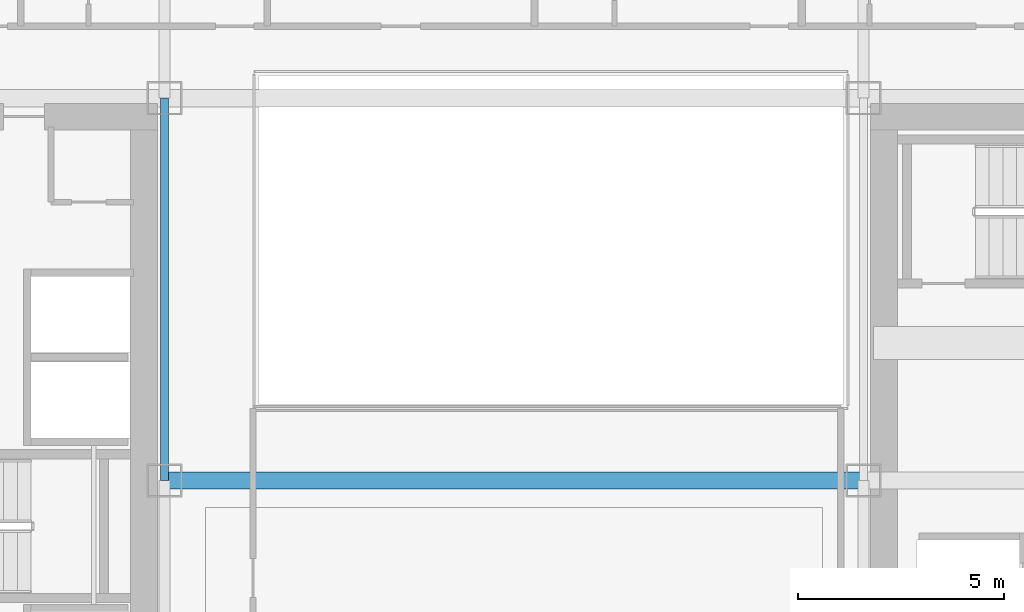
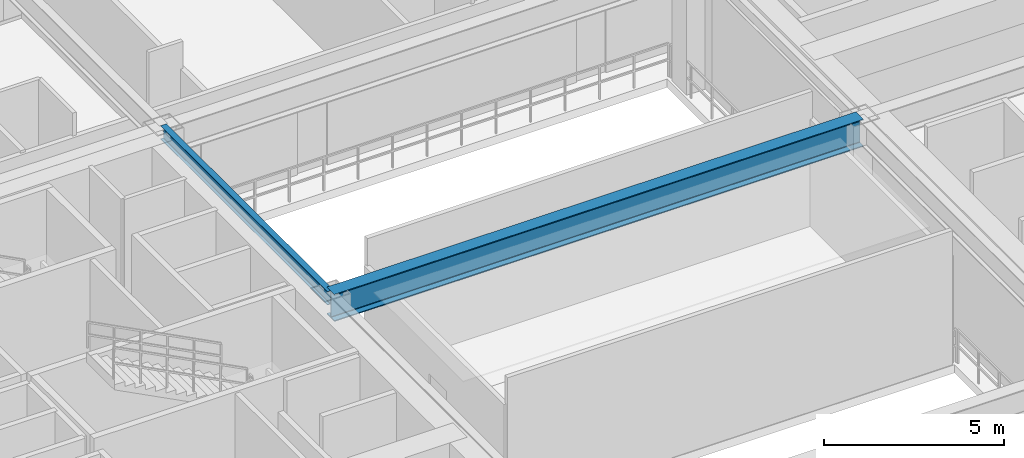
# One storey, part 10 of 38: 2 beams.
"""IFC4 building model written with IfcOpenShell, lengths in metres."""

import ifcopenshell
import ifcopenshell.guid

model = None  # the IFC model being written
_history = None  # IfcOwnerHistory: only IFC2X3 demands one
_inside = {}  # id of a spatial element -> (the spatial element, [elements in it])
_under = {}  # id of a project, library or spatial element -> (it, [spatial elements below it])
_declared = {}  # id of a project -> (the project, [libraries it declares])
_typed = {}  # id of a type object -> (the type object, [elements of that type])
_made_of = {}  # id of a material, layer set ... -> (it, [elements and type objects made of it])


def new_model(schema):
    """Start an empty IFC model of exactly this schema.

    Asked for "IFC4X3", IfcOpenShell would pick the latest addendum, in which some entities
    have other attributes; the version numbers below select the first issue.
    IFC2X3 requires an IfcOwnerHistory on every rooted entity: one is made here for all.
    """
    global model, _history
    if schema == "IFC4X3":
        model = ifcopenshell.file(schema_version=(4, 3, 0, 0))
    else:
        model = ifcopenshell.file(schema=schema)
    _inside.clear()
    _under.clear()
    _declared.clear()
    _typed.clear()
    _made_of.clear()
    _history = None
    if model.schema == "IFC2X3":
        org = make("IfcOrganization", Name="unknown")
        user = make(
            "IfcPersonAndOrganization",
            ThePerson=make("IfcPerson", FamilyName="unknown"),
            TheOrganization=org,
        )
        app = make(
            "IfcApplication",
            ApplicationDeveloper=org,
            Version="unknown",
            ApplicationFullName="unknown",
            ApplicationIdentifier="unknown",
        )
        _history = make(
            "IfcOwnerHistory",
            OwningUser=user,
            OwningApplication=app,
            ChangeAction="ADDED",
            CreationDate=0,
        )
    return model


def make(cls, **values):
    """One entity of the class cls with the attributes given. An attribute that is None is left unset."""
    return model.create_entity(
        cls, **{name: value for name, value in values.items() if value is not None}
    )


def rooted(cls, **values):
    """An entity with a GlobalId (a new one), such as an element, a storey or a relation."""
    return make(cls, GlobalId=ifcopenshell.guid.new(), OwnerHistory=_history, **values)


def si_unit(unit_type, name, prefix=None):
    """IfcSIUnit, for example si_unit("LENGTHUNIT", "METRE", prefix="MILLI")."""
    return make("IfcSIUnit", UnitType=unit_type, Prefix=prefix, Name=name)


def assignment(units):
    """IfcUnitAssignment: the units of a project."""
    return None if units is None else make("IfcUnitAssignment", Units=units)


def point(xyz):
    """IfcCartesianPoint."""
    return None if xyz is None else make("IfcCartesianPoint", Coordinates=xyz)


def direction(xyz):
    """IfcDirection."""
    return None if xyz is None else make("IfcDirection", DirectionRatios=xyz)


def frame(location, z_axis=None, x_axis=None):
    """IfcAxis2Placement3D, a coordinate frame: its origin and axes. An axis left out is left unset."""
    return make(
        "IfcAxis2Placement3D",
        Location=point(location),
        Axis=direction(z_axis),
        RefDirection=direction(x_axis),
    )


def frame_2d(location, x_axis=None):
    """IfcAxis2Placement2D, a coordinate frame in the plane: its origin and x axis."""
    return make(
        "IfcAxis2Placement2D", Location=point(location), RefDirection=direction(x_axis)
    )


def origin():
    """The frame at (0, 0, 0) with its axes left unset."""
    return frame((0.0, 0.0, 0.0))


def origin_2d():
    """The frame at (0, 0) in the plane with its x axis left unset."""
    return frame_2d((0.0, 0.0))


def place(relative_to, where):
    """IfcLocalPlacement: puts the frame where relative to a parent placement (None: the world)."""
    return make(
        "IfcLocalPlacement", PlacementRelTo=relative_to, RelativePlacement=where
    )


def context(
    kind, dimensions, precision=None, world=None, true_north=None, identifier=None
):
    """IfcGeometricRepresentationContext, for example the 3D "Model" context."""
    return make(
        "IfcGeometricRepresentationContext",
        ContextIdentifier=identifier,
        ContextType=kind,
        CoordinateSpaceDimension=dimensions,
        Precision=precision,
        WorldCoordinateSystem=world,
        TrueNorth=true_north,
    )


def subcontext(parent, identifier, kind, view, scale=None):
    """IfcGeometricRepresentationSubContext, for example "Body" below "Model"."""
    return make(
        "IfcGeometricRepresentationSubContext",
        ContextIdentifier=identifier,
        ContextType=kind,
        ParentContext=parent,
        TargetScale=scale,
        TargetView=view,
    )


def project(units=None, contexts=None):
    """IfcProject with its units and contexts."""
    return rooted(
        "IfcProject",
        Name="project",
        RepresentationContexts=contexts,
        UnitsInContext=assignment(units),
    )


def spatial(cls, under=None, at=None, **own):
    """A site, building, storey or space (cls), placed at a placement, below another one or the project."""
    s = rooted(cls, ObjectPlacement=at, **own)
    if under is not None:
        _under.setdefault(under.id(), (under, []))[1].append(s)
    return s


def profile(cls, at=None, kind="AREA", **sizes):
    """A parametric profile (cls). Its sizes go by their IFC names, for example OverallWidth=200.0."""
    return make(cls, ProfileType=kind, Position=at, **sizes)


def i_section(**sizes):
    """IfcIShapeProfileDef."""
    return profile("IfcIShapeProfileDef", **sizes)


def extrude(swept, where, along, depth):
    """IfcExtrudedAreaSolid: the profile swept, set in the frame where, extruded along a direction by depth."""
    return make(
        "IfcExtrudedAreaSolid",
        SweptArea=swept,
        Position=where,
        ExtrudedDirection=direction(along),
        Depth=depth,
    )


def shape(context_of_items, identifier, shape_type, items):
    """IfcShapeRepresentation: the items that make up one representation, for example the "Body"."""
    return make(
        "IfcShapeRepresentation",
        ContextOfItems=context_of_items,
        RepresentationIdentifier=identifier,
        RepresentationType=shape_type,
        Items=items,
    )


def source(mapping_origin, context_of_items, identifier, shape_type, items):
    """IfcRepresentationMap: a shape defined once, which mapped items show again and again."""
    return make(
        "IfcRepresentationMap",
        MappingOrigin=mapping_origin,
        MappedRepresentation=shape(context_of_items, identifier, shape_type, items),
    )


def transform(
    local_origin,
    x_axis=None,
    y_axis=None,
    z_axis=None,
    scale=None,
    scale2=None,
    scale3=None,
    uniform=True,
):
    """IfcCartesianTransformationOperator3D, or its non-uniform kind. x_axis, y_axis, z_axis: its Axis1, 2, 3."""
    if uniform:
        return make(
            "IfcCartesianTransformationOperator3D",
            Axis1=direction(x_axis),
            Axis2=direction(y_axis),
            LocalOrigin=point(local_origin),
            Scale=scale,
            Axis3=direction(z_axis),
        )
    return make(
        "IfcCartesianTransformationOperator3DnonUniform",
        Axis1=direction(x_axis),
        Axis2=direction(y_axis),
        LocalOrigin=point(local_origin),
        Scale=scale,
        Axis3=direction(z_axis),
        Scale2=scale2,
        Scale3=scale3,
    )


def mapped(mapping_source, mapping_target):
    """IfcMappedItem: shows the shape of a source again, moved by a transform."""
    return make(
        "IfcMappedItem", MappingSource=mapping_source, MappingTarget=mapping_target
    )


def material(Name=None, Category=None):
    """IfcMaterial."""
    return make("IfcMaterial", Name=Name, Category=Category)


def material_profile(
    of_material, cross_section, Name=None, Category=None, Priority=None
):
    """IfcMaterialProfile: a cross section and its material."""
    return make(
        "IfcMaterialProfile",
        Name=Name,
        Material=of_material,
        Profile=cross_section,
        Priority=Priority,
        Category=Category,
    )


def profile_set(profiles, Name=None, composite=None):
    """IfcMaterialProfileSet."""
    return make(
        "IfcMaterialProfileSet",
        Name=Name,
        MaterialProfiles=profiles,
        CompositeProfile=composite,
    )


def made_of(thing, what):
    """Note that an element or type object is made of a material, layer set ...; save() writes the relation."""
    if what is not None:
        _made_of.setdefault(what.id(), (what, []))[1].append(thing)
    return thing


def type_object(cls, material=None, **own):
    """A type object (cls), such as IfcWallType, which elements share."""
    return made_of(rooted(cls, **own), material)


def element(
    cls,
    number,
    at=None,
    inside=None,
    cuts=None,
    type_object=None,
    material=None,
    context=None,
    identifier="Body",
    shape_type=None,
    held_by="IfcProductDefinitionShape",
    body=None,
    shapes=None,
    **own,
):
    """One element of the class cls, such as IfcWall. Its Tag is "e" and its number.

    at: its placement. inside: the storey or other place that contains it. cuts: it is an
    opening in that element (IfcRelVoidsElement). A single representation is given by context,
    identifier, shape_type and body (its items); several are given by shapes. held_by: the class
    of the entity that holds the representations. save() writes the other relations.
    """
    e = rooted(cls, Tag="e%d" % number, ObjectPlacement=at, **own)
    if body is not None:
        shapes = [shape(context, identifier, shape_type, body)]
    if shapes is not None:
        e.Representation = make(held_by, Representations=shapes)
    if inside is not None:
        _inside.setdefault(inside.id(), (inside, []))[1].append(e)
    if cuts is not None:
        rooted(
            "IfcRelVoidsElement", RelatingBuildingElement=cuts, RelatedOpeningElement=e
        )
    if type_object is not None:
        _typed.setdefault(type_object.id(), (type_object, []))[1].append(e)
    return made_of(e, material)


def aggregate(whole, parts):
    """IfcRelAggregates: a whole, such as a stair, and the parts it consists of."""
    return rooted("IfcRelAggregates", RelatingObject=whole, RelatedObjects=parts)


def save(model, path):
    """Write the relations noted so far, then the file.

    IfcRelAggregates (storeys below a building ...), IfcRelContainedInSpatialStructure (elements
    in a storey), IfcRelDefinesByType, IfcRelAssociatesMaterial and IfcRelDeclares: one each for
    every whole, place, type object, material and project.
    """
    for whole, parts in _under.values():
        aggregate(whole, parts)
    for where, things in _inside.values():
        rooted(
            "IfcRelContainedInSpatialStructure",
            RelatedElements=things,
            RelatingStructure=where,
        )
    for kind, things in _typed.values():
        rooted("IfcRelDefinesByType", RelatedObjects=things, RelatingType=kind)
    for what, things in _made_of.values():
        rooted("IfcRelAssociatesMaterial", RelatedObjects=things, RelatingMaterial=what)
    for by, libraries in _declared.values():
        rooted("IfcRelDeclares", RelatingContext=by, RelatedDefinitions=libraries)
    model.write(path)


model = new_model("IFC4")

# Units and contexts
model_context = context("Model", 3, precision=1e-05, world=origin(), true_north=direction((0.0, 1.0)))
body_context = subcontext(model_context, "Body", "Model", "MODEL_VIEW")
ifc_project = project(units=[si_unit("LENGTHUNIT", "METRE"), si_unit("AREAUNIT", "SQUARE_METRE"), si_unit("VOLUMEUNIT", "CUBIC_METRE"), si_unit("PLANEANGLEUNIT", "RADIAN"), si_unit("MASSUNIT", "GRAM", prefix="KILO")], contexts=[model_context])

# Site, building, storey
site_placement = place(None, origin())
site = spatial("IfcSite", under=ifc_project, at=site_placement, CompositionType="ELEMENT")
building_placement = place(site_placement, origin())
building = spatial("IfcBuilding", under=site, at=building_placement, Name="Ocotamira Hotel", CompositionType="ELEMENT")
storey_placement = place(building_placement, frame((0.0, 0.0, 92.39990234375)))
storey = spatial("IfcBuildingStorey", under=building, at=storey_placement, Name="L22", CompositionType="ELEMENT", Elevation=92.39990234375)

# Beams
ifc_material = material(Name="Steel ASTM A992 Grade 50", Category="steel")
ifc_material_profile_1 = material_profile(ifc_material, i_section(OverallWidth=0.41796875, OverallDepth=0.927001953125, WebThickness=0.019287109375, FlangeThickness=0.031982421875, FilletRadius=0.02392578125, at=origin_2d()), Name="W36X231")
ifc_profile_set_1 = profile_set([ifc_material_profile_1], Name="Steel ASTM A992 Grade 50")
beam_type_1 = type_object("IfcBeamType", Name="BM-GIRD-W36X231", PredefinedType="BEAM", material=ifc_profile_set_1)
shared_shape_1 = source(origin(), body_context, "Body", "SweptSolid", [
    extrude(i_section(OverallWidth=0.41796875, OverallDepth=0.927001953125, WebThickness=0.019287109375, FlangeThickness=0.031982421875, FilletRadius=0.02392578125, at=origin_2d()), origin(), (0.0, 0.0, 1.0), 17.0),
])
beam_1_placement = place(storey_placement, frame((23.5, 28.14990234375, 4.0966796875), z_axis=(1.0, 0.0, 0.0), x_axis=(0.0, 1.0, 0.0)))
element("IfcBeam", 1, at=beam_1_placement, inside=storey, type_object=beam_type_1, Name="L22 Girder Y28.15 X23.5-40.5", PredefinedType="BEAM", context=body_context, shape_type="MappedRepresentation", body=[
    mapped(shared_shape_1, transform((0.0, 0.0, 0.0), scale=1.0)),
])
ifc_material_profile_2 = material_profile(ifc_material, i_section(OverallWidth=0.18994140625, OverallDepth=0.45703125, WebThickness=0.009033203125, FlangeThickness=0.014404296875, FilletRadius=0.010009765625, at=origin_2d()), Name="W18X50")
ifc_profile_set_2 = profile_set([ifc_material_profile_2], Name="Steel ASTM A992 Grade 50")
beam_type_2 = type_object("IfcBeamType", Name="BM-SEC-W18X50", PredefinedType="JOIST", material=ifc_profile_set_2)
shared_shape_2 = source(origin(), body_context, "Body", "SweptSolid", [
    extrude(i_section(OverallWidth=0.18994140625, OverallDepth=0.45703125, WebThickness=0.009033203125, FlangeThickness=0.014404296875, FilletRadius=0.010009765625, at=origin_2d()), origin(), (0.0, 0.0, 1.0), 9.300048828125),
])
beam_2_placement = place(storey_placement, frame((23.5, 28.14990234375, 4.33154296875), z_axis=(0.0, 1.0, 0.0), x_axis=(-1.0, 0.0, 0.0)))
element("IfcBeam", 2, at=beam_2_placement, inside=storey, type_object=beam_type_2, Name="L22 Beam X23.5 Y28.15-37.45", PredefinedType="JOIST", context=body_context, shape_type="MappedRepresentation", body=[
    mapped(shared_shape_2, transform((0.0, 0.0, 0.0), scale=1.0)),
])

save(model, "model.ifc")
